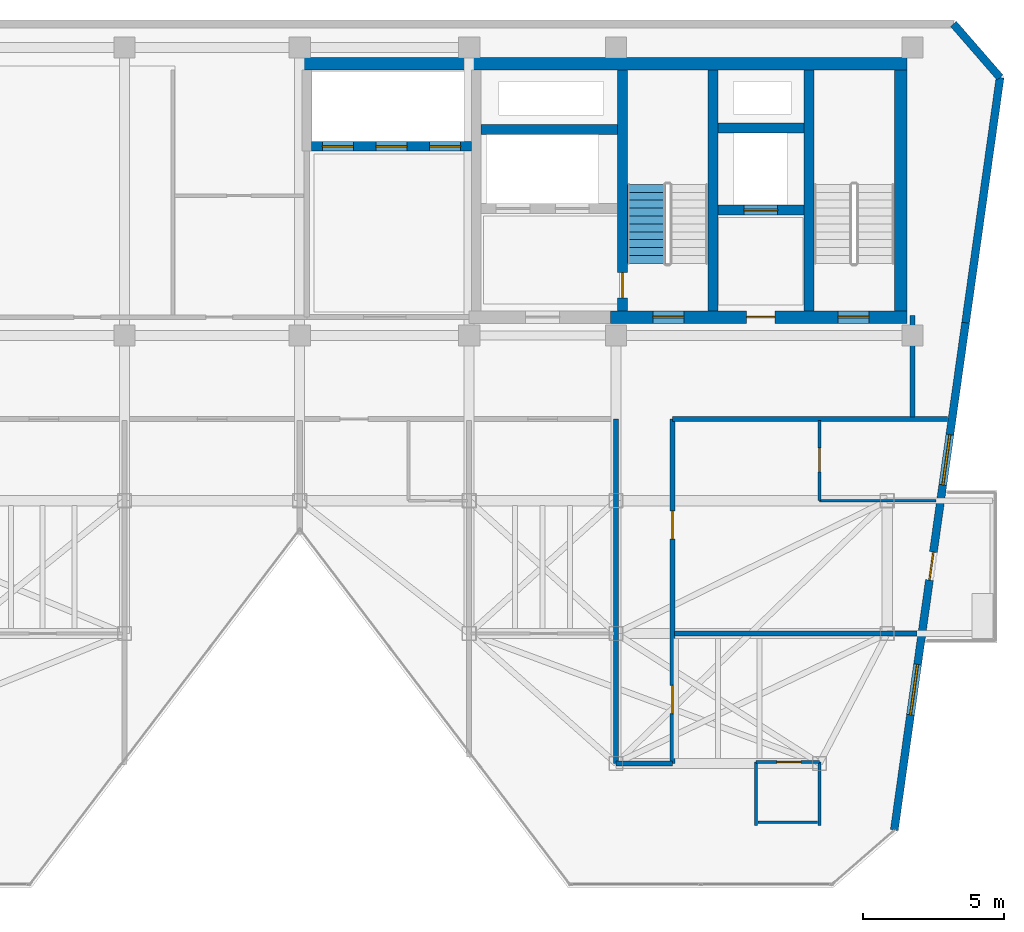
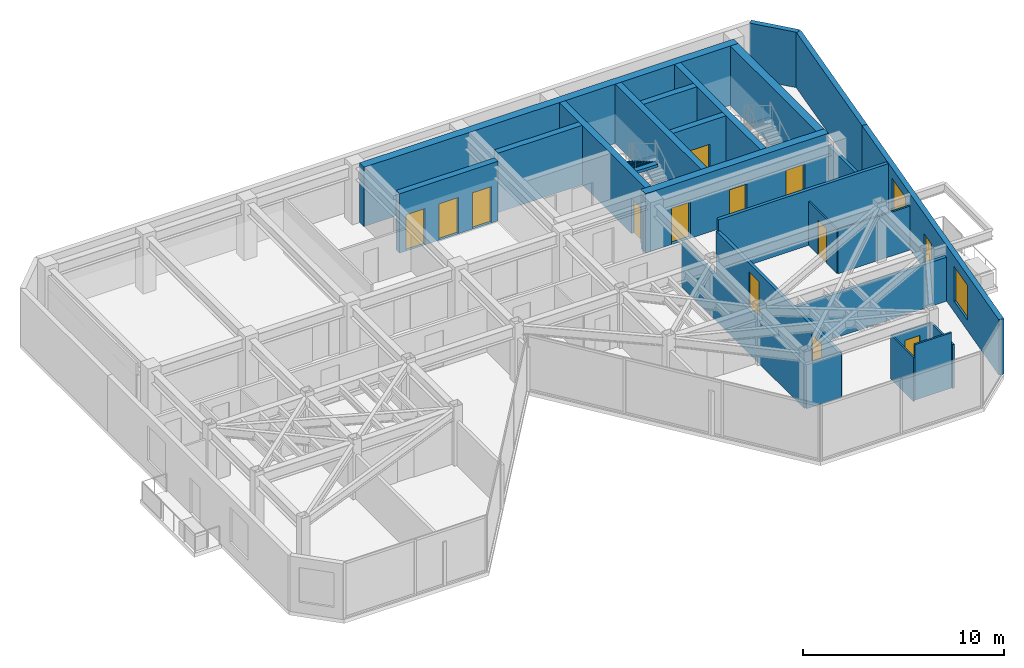
# One storey, part 14 of 17: 25 walls, 13 doors, 2 windows, 1 stair flight, 15 openings, 1 element without a shape of its own.
"""IFC4 building model written with IfcOpenShell, lengths in metres."""

from ifc_helpers import new_model, si_unit, direction, frame, frame_2d, origin, place, context, subcontext, project, spatial, polyline, rectangle, outline, extrude, material, layer, layer_set, type_object, element, fill, aggregate, save


model = new_model("IFC4")

# Units and contexts
model_context = context("Model", 3, precision=1e-05, world=origin(), true_north=direction((0.0, 1.0)))
body_context = subcontext(model_context, "Body", "Model", "MODEL_VIEW")
ifc_project = project(units=[si_unit("LENGTHUNIT", "METRE"), si_unit("AREAUNIT", "SQUARE_METRE"), si_unit("VOLUMEUNIT", "CUBIC_METRE"), si_unit("PLANEANGLEUNIT", "RADIAN"), si_unit("MASSUNIT", "GRAM", prefix="KILO")], contexts=[model_context])

# Site, building, storey
site_placement = place(None, origin())
site = spatial("IfcSite", under=ifc_project, at=site_placement, CompositionType="ELEMENT")
building_placement = place(site_placement, origin())
building = spatial("IfcBuilding", under=site, at=building_placement, Name="Kravanh Interchange Tower", CompositionType="ELEMENT")
storey_placement = place(building_placement, frame((0.0, 0.0, 256.199951171875)))
storey = spatial("IfcBuildingStorey", under=building, at=storey_placement, Name="L62", CompositionType="ELEMENT", Elevation=256.199951171875)

# Walls
ifc_material_1 = material(Name="Concrete C60/75", Category="concrete")
ifc_layer_1 = layer(ifc_material_1, 0.35009765625)
ifc_layer_set_1 = layer_set([ifc_layer_1], Name="Core Shear Wall Concrete C60/75 350mm")
wall_type_1 = type_object("IfcWallType", Name="Core Shear Wall Concrete C60/75 350mm", PredefinedType="SHEAR", material=ifc_layer_set_1)
for number, where, z_axis, x_axis, name in (
    (1, (62.824951171875, 38.22509765625, 0.0), (0.0, 0.0, 1.0), (0.0, 1.0, 0.0), "L62 Stair ST1 West Shear Wall"),
    (2, (59.425048828125, 38.22509765625, 0.0), (0.0, 0.0, 1.0), (0.0, 1.0, 0.0), "L62 Stair ST2 East Shear Wall"),
):
    element("IfcWall", number, at=place(storey_placement, frame(where, z_axis=z_axis, x_axis=x_axis)), inside=storey, type_object=wall_type_1, Name=name, PredefinedType="SHEAR", context=body_context, shape_type="SweptSolid", body=[
        extrude(rectangle(XDim=8.52490234375, YDim=0.35009765625, at=frame_2d((4.262451171875, 0.0))), origin(), (0.0, 0.0, 1.0), 3.60009765625),
    ])

# Wall, opening, door
wall_1_placement = place(storey_placement, frame((56.22509765625, 38.22509765625, 0.0), z_axis=(0.0, 0.0, 1.0), x_axis=(0.0, 1.0, 0.0)))
wall_1 = element("IfcWall", 3, at=wall_1_placement, inside=storey, type_object=wall_type_1, Name="L62 Stair ST2 West Shear Wall", PredefinedType="SHEAR", context=body_context, shape_type="SweptSolid", body=[
    extrude(rectangle(XDim=8.52490234375, YDim=0.35009765625, at=frame_2d((4.262451171875, 0.0))), origin(), (0.0, 0.0, 1.0), 3.60009765625),
])
opening_1_placement = place(wall_1_placement, frame((0.455078125, 0.0, 0.0)))
opening_1 = element("IfcOpeningElement", 4, at=opening_1_placement, cuts=wall_1, Name="Opening D-STAIR-90", PredefinedType="OPENING", context=body_context, shape_type="SweptSolid", body=[
    extrude(rectangle(XDim=0.89990234375, YDim=2.14990234375, at=frame_2d((0.449951171875, 1.074951171875))), frame((0.0, 0.18505859375, 0.0), z_axis=(0.0, -1.0, 0.0), x_axis=(1.0, 0.0, 0.0)), (0.0, 0.0, 1.0), 0.3701171875),
])
ifc_material_2 = material(Name="Structural Steel S355", Category="steel")
door_type_1 = type_object("IfcDoorType", Name="Fire-Rated Stair Lobby Door 900x2150", OperationType="NOTDEFINED", PredefinedType="DOOR", material=ifc_material_2)
door_1_placement = place(opening_1_placement, origin())
door_1 = element("IfcDoor", 5, at=door_1_placement, inside=storey, type_object=door_type_1, Name="L62 Firefighting Lobby to Stair ST2 Door", OperationType="SINGLE_SWING_LEFT", OverallHeight=2.14990234375, OverallWidth=0.89990234375, PredefinedType="DOOR", context=body_context, shape_type="SweptSolid", body=[
    extrude(rectangle(XDim=0.89990234375, YDim=2.14990234375, at=frame_2d((0.449951171875, 1.074951171875))), frame((0.0, 0.02490234375, 0.0), z_axis=(0.0, -1.0, 0.0), x_axis=(1.0, 0.0, 0.0)), (0.0, 0.0, 1.0), 0.050048828125),
])
fill(opening_1, door_1)

wall_2_placement = place(storey_placement, frame((59.60009765625, 41.800048828125, 0.0), z_axis=(0.0, 0.0, 1.0), x_axis=(1.0, 0.0, 0.0)))
wall_2 = element("IfcWall", 6, at=wall_2_placement, inside=storey, type_object=wall_type_1, Name="L62 Service Lift Shaft South Wall", PredefinedType="SHEAR", context=body_context, shape_type="SweptSolid", body=[
    extrude(rectangle(XDim=3.0498046875, YDim=0.35009765625, at=frame_2d((1.52490234375, 0.0))), origin(), (0.0, 0.0, 1.0), 3.60009765625),
])
opening_2_placement = place(wall_2_placement, frame((0.919921875, 0.0, 0.0)))
opening_2 = element("IfcOpeningElement", 7, at=opening_2_placement, cuts=wall_2, Name="Opening LD02", PredefinedType="OPENING", context=body_context, shape_type="SweptSolid", body=[
    extrude(rectangle(XDim=1.199951171875, YDim=2.199951171875, at=frame_2d((0.60009765625, 1.10009765625))), frame((0.0, 0.18505859375, 0.0), z_axis=(0.0, -1.0, 0.0), x_axis=(1.0, 0.0, 0.0)), (0.0, 0.0, 1.0), 0.3701171875),
])
ifc_material_3 = material(Name="Stainless Steel 316", Category="steel")
door_type_2 = type_object("IfcDoorType", Name="Fire and Service Lift Sliding Landing Door 1200x2200", OperationType="DOUBLE_DOOR_SLIDING", PredefinedType="DOOR", material=ifc_material_3)
door_2_placement = place(opening_2_placement, origin())
door_2 = element("IfcDoor", 8, at=door_2_placement, inside=storey, type_object=door_type_2, Name="L62 Lift LS-01 Landing Door", OperationType="DOUBLE_DOOR_SLIDING", OverallHeight=2.199951171875, OverallWidth=1.199951171875, PredefinedType="DOOR", context=body_context, shape_type="SweptSolid", body=[
    extrude(rectangle(XDim=1.199951171875, YDim=2.199951171875, at=frame_2d((0.60009765625, 1.10009765625))), frame((0.0, 0.02490234375, 0.0), z_axis=(0.0, -1.0, 0.0), x_axis=(1.0, 0.0, 0.0)), (0.0, 0.0, 1.0), 0.050048828125),
])
fill(opening_2, door_2)

# Walls
wall_3_placement = place(storey_placement, frame((59.60009765625, 44.699951171875, 0.0), z_axis=(0.0, 0.0, 1.0), x_axis=(1.0, 0.0, 0.0)))
element("IfcWall", 9, at=wall_3_placement, inside=storey, type_object=wall_type_1, Name="L62 Service Lift Shaft North Wall", PredefinedType="SHEAR", context=body_context, shape_type="SweptSolid", body=[
    extrude(rectangle(XDim=3.0498046875, YDim=0.35009765625, at=frame_2d((1.52490234375, 0.0))), origin(), (0.0, 0.0, 1.0), 3.60009765625),
])
wall_4_placement = place(storey_placement, frame((51.22509765625, 44.64990234375, 0.0), z_axis=(0.0, 0.0, 1.0), x_axis=(1.0, 0.0, 0.0)))
element("IfcWall", 10, at=wall_4_placement, inside=storey, type_object=wall_type_1, Name="L62 Fire Lift Shaft North Wall", PredefinedType="SHEAR", context=body_context, shape_type="SweptSolid", body=[
    extrude(rectangle(XDim=4.824951171875, YDim=0.35009765625, at=frame_2d((2.41259765625, 0.0))), origin(), (0.0, 0.0, 1.0), 3.60009765625),
])

# Wall, openings, doors
wall_5_placement = place(storey_placement, frame((45.22509765625, 44.050048828125, 0.0), z_axis=(0.0, 0.0, 1.0), x_axis=(1.0, 0.0, 0.0)))
wall_5 = element("IfcWall", 11, at=wall_5_placement, inside=storey, type_object=wall_type_1, Name="L62 High-Rise Lift Shaft South Wall", PredefinedType="SHEAR", context=body_context, shape_type="SweptSolid", body=[
    extrude(rectangle(XDim=5.64990234375, YDim=0.35009765625, at=frame_2d((2.824951171875, 0.0))), origin(), (0.0, 0.0, 1.0), 3.60009765625),
])
opening_3_placement = place(wall_5_placement, frame((0.375, 0.0, 0.0)))
opening_3 = element("IfcOpeningElement", 12, at=opening_3_placement, cuts=wall_5, Name="Opening LD01", PredefinedType="OPENING", context=body_context, shape_type="SweptSolid", body=[
    extrude(rectangle(XDim=1.10009765625, YDim=2.199951171875, at=frame_2d((0.550048828125, 1.10009765625))), frame((0.0, 0.18505859375, 0.0), z_axis=(0.0, -1.0, 0.0), x_axis=(1.0, 0.0, 0.0)), (0.0, 0.0, 1.0), 0.3701171875),
])
opening_4_placement = place(wall_5_placement, frame((2.27490234375, 0.0, 0.0)))
opening_4 = element("IfcOpeningElement", 13, at=opening_4_placement, cuts=wall_5, Name="Opening LD01", PredefinedType="OPENING", context=body_context, shape_type="SweptSolid", body=[
    extrude(rectangle(XDim=1.10009765625, YDim=2.199951171875, at=frame_2d((0.550048828125, 1.10009765625))), frame((0.0, 0.18505859375, 0.0), z_axis=(0.0, -1.0, 0.0), x_axis=(1.0, 0.0, 0.0)), (0.0, 0.0, 1.0), 0.3701171875),
])
opening_5_placement = place(wall_5_placement, frame((4.175048828125, 0.0, 0.0)))
opening_5 = element("IfcOpeningElement", 14, at=opening_5_placement, cuts=wall_5, Name="Opening LD01", PredefinedType="OPENING", context=body_context, shape_type="SweptSolid", body=[
    extrude(rectangle(XDim=1.10009765625, YDim=2.199951171875, at=frame_2d((0.550048828125, 1.10009765625))), frame((0.0, 0.18505859375, 0.0), z_axis=(0.0, -1.0, 0.0), x_axis=(1.0, 0.0, 0.0)), (0.0, 0.0, 1.0), 0.3701171875),
])
ifc_material_4 = material(Name="Stainless Steel 304", Category="steel")
door_type_3 = type_object("IfcDoorType", Name="Passenger Lift Sliding Landing Door 1100x2200", OperationType="DOUBLE_DOOR_SLIDING", PredefinedType="DOOR", material=ifc_material_4)
door_3_placement = place(opening_3_placement, origin())
door_3 = element("IfcDoor", 15, at=door_3_placement, inside=storey, type_object=door_type_3, Name="L62 Lift LP-H1 Landing Door", OperationType="DOUBLE_DOOR_SLIDING", OverallHeight=2.199951171875, OverallWidth=1.10009765625, PredefinedType="DOOR", context=body_context, shape_type="SweptSolid", body=[
    extrude(rectangle(XDim=1.10009765625, YDim=2.199951171875, at=frame_2d((0.550048828125, 1.10009765625))), frame((0.0, 0.02490234375, 0.0), z_axis=(0.0, -1.0, 0.0), x_axis=(1.0, 0.0, 0.0)), (0.0, 0.0, 1.0), 0.050048828125),
])
fill(opening_3, door_3)
door_4_placement = place(opening_4_placement, origin())
door_4 = element("IfcDoor", 16, at=door_4_placement, inside=storey, type_object=door_type_3, Name="L62 Lift LP-H2 Landing Door", OperationType="DOUBLE_DOOR_SLIDING", OverallHeight=2.199951171875, OverallWidth=1.10009765625, PredefinedType="DOOR", context=body_context, shape_type="SweptSolid", body=[
    extrude(rectangle(XDim=1.10009765625, YDim=2.199951171875, at=frame_2d((0.550048828125, 1.10009765625))), frame((0.0, 0.02490234375, 0.0), z_axis=(0.0, -1.0, 0.0), x_axis=(1.0, 0.0, 0.0)), (0.0, 0.0, 1.0), 0.050048828125),
])
fill(opening_4, door_4)
door_5_placement = place(opening_5_placement, origin())
door_5 = element("IfcDoor", 17, at=door_5_placement, inside=storey, type_object=door_type_3, Name="L62 Lift LP-H3 Landing Door", OperationType="DOUBLE_DOOR_SLIDING", OverallHeight=2.199951171875, OverallWidth=1.10009765625, PredefinedType="DOOR", context=body_context, shape_type="SweptSolid", body=[
    extrude(rectangle(XDim=1.10009765625, YDim=2.199951171875, at=frame_2d((0.550048828125, 1.10009765625))), frame((0.0, 0.02490234375, 0.0), z_axis=(0.0, -1.0, 0.0), x_axis=(1.0, 0.0, 0.0)), (0.0, 0.0, 1.0), 0.050048828125),
])
fill(opening_5, door_5)

# Wall
ifc_material_5 = material(Name="Concrete C60/75", Category="concrete")
ifc_layer_2 = layer(ifc_material_5, 0.449951171875)
ifc_layer_set_2 = layer_set([ifc_layer_2], Name="Core Shear Wall Concrete C60/75 450mm")
wall_type_2 = type_object("IfcWallType", Name="Core Shear Wall Concrete C60/75 450mm", PredefinedType="SHEAR", material=ifc_layer_set_2)
wall_6_placement = place(storey_placement, frame((44.85009765625, 46.97509765625, 0.0), z_axis=(0.0, 0.0, 1.0), x_axis=(1.0, 0.0, 0.0)))
element("IfcWall", 18, at=wall_6_placement, inside=storey, type_object=wall_type_2, Name="L62 North Core Shear Wall", PredefinedType="SHEAR", context=body_context, shape_type="SweptSolid", body=[
    extrude(rectangle(XDim=21.449951171875, YDim=0.449951171875, at=frame_2d((10.72509765625, 0.0))), origin(), (0.0, 0.0, 1.0), 3.60009765625),
])

# Wall, openings, doors
wall_7_placement = place(storey_placement, frame((55.800048828125, 38.0, 0.0), z_axis=(0.0, 0.0, 1.0), x_axis=(1.0, 0.0, 0.0)))
wall_7 = element("IfcWall", 19, at=wall_7_placement, inside=storey, type_object=wall_type_2, Name="L62 East Core South Shear Wall", PredefinedType="SHEAR", context=body_context, shape_type="SweptSolid", body=[
    extrude(rectangle(XDim=10.5, YDim=0.449951171875, at=frame_2d((5.25, 0.0))), origin(), (0.0, 0.0, 1.0), 3.60009765625),
])
opening_6_placement = place(wall_7_placement, frame((1.5, 0.0, 0.0)))
opening_6 = element("IfcOpeningElement", 20, at=opening_6_placement, cuts=wall_7, Name="Opening D-STAIR-110", PredefinedType="OPENING", context=body_context, shape_type="SweptSolid", body=[
    extrude(rectangle(XDim=1.10009765625, YDim=2.199951171875, at=frame_2d((0.550048828125, 1.10009765625))), frame((0.0, 0.23486328125, 0.0), z_axis=(0.0, -1.0, 0.0), x_axis=(1.0, 0.0, 0.0)), (0.0, 0.0, 1.0), 0.469970703125),
])
opening_7_placement = place(wall_7_placement, frame((4.820068359375, 0.0, 0.0)))
opening_7 = element("IfcOpeningElement", 21, at=opening_7_placement, cuts=wall_7, Name="Opening D-HOTEL-100", PredefinedType="OPENING", context=body_context, shape_type="SweptSolid", body=[
    extrude(rectangle(XDim=1.0, YDim=2.14990234375, at=frame_2d((0.5, 1.074951171875))), frame((0.0, 0.23486328125, 0.0), z_axis=(0.0, -1.0, 0.0), x_axis=(1.0, 0.0, 0.0)), (0.0, 0.0, 1.0), 0.469970703125),
])
opening_8_placement = place(wall_7_placement, frame((8.050048828125, 0.0, 0.0)))
opening_8 = element("IfcOpeningElement", 22, at=opening_8_placement, cuts=wall_7, Name="Opening D-STAIR-110", PredefinedType="OPENING", context=body_context, shape_type="SweptSolid", body=[
    extrude(rectangle(XDim=1.10009765625, YDim=2.199951171875, at=frame_2d((0.550048828125, 1.10009765625))), frame((0.0, 0.23486328125, 0.0), z_axis=(0.0, -1.0, 0.0), x_axis=(1.0, 0.0, 0.0)), (0.0, 0.0, 1.0), 0.469970703125),
])
ifc_material_6 = material(Name="Structural Steel S355", Category="steel")
door_type_4 = type_object("IfcDoorType", Name="Fire-Rated Exit Stair Door 1100x2200", OperationType="NOTDEFINED", PredefinedType="DOOR", material=ifc_material_6)
door_6_placement = place(opening_6_placement, origin())
door_6 = element("IfcDoor", 23, at=door_6_placement, inside=storey, type_object=door_type_4, Name="L62 Exit Stair ST2 Door", OperationType="SINGLE_SWING_RIGHT", OverallHeight=2.199951171875, OverallWidth=1.10009765625, PredefinedType="DOOR", context=body_context, shape_type="SweptSolid", body=[
    extrude(rectangle(XDim=1.10009765625, YDim=2.199951171875, at=frame_2d((0.550048828125, 1.10009765625))), frame((0.0, 0.02490234375, 0.0), z_axis=(0.0, -1.0, 0.0), x_axis=(1.0, 0.0, 0.0)), (0.0, 0.0, 1.0), 0.050048828125),
])
fill(opening_6, door_6)
door_7_placement = place(opening_8_placement, origin())
door_7 = element("IfcDoor", 24, at=door_7_placement, inside=storey, type_object=door_type_4, Name="L62 Exit Stair ST1 Door", OperationType="SINGLE_SWING_RIGHT", OverallHeight=2.199951171875, OverallWidth=1.10009765625, PredefinedType="DOOR", context=body_context, shape_type="SweptSolid", body=[
    extrude(rectangle(XDim=1.10009765625, YDim=2.199951171875, at=frame_2d((0.550048828125, 1.10009765625))), frame((0.0, 0.02490234375, 0.0), z_axis=(0.0, -1.0, 0.0), x_axis=(1.0, 0.0, 0.0)), (0.0, 0.0, 1.0), 0.050048828125),
])
fill(opening_8, door_7)
ifc_material_7 = material(Name="Fire-Rated Solid Timber Leaf", Category="wood")
door_type_5 = type_object("IfcDoorType", Name="Fire-Rated Suite Entrance Door 1000x2150", OperationType="NOTDEFINED", PredefinedType="DOOR", material=ifc_material_7)
door_8_placement = place(opening_7_placement, origin())
door_8 = element("IfcDoor", 25, at=door_8_placement, inside=storey, type_object=door_type_5, Name="L62 Service Lift Lobby Door", OperationType="SINGLE_SWING_RIGHT", OverallHeight=2.14990234375, OverallWidth=1.0, PredefinedType="DOOR", context=body_context, shape_type="SweptSolid", body=[
    extrude(rectangle(XDim=1.0, YDim=2.14990234375, at=frame_2d((0.5, 1.074951171875))), frame((0.0, 0.02490234375, 0.0), z_axis=(0.0, -1.0, 0.0), x_axis=(1.0, 0.0, 0.0)), (0.0, 0.0, 1.0), 0.050048828125),
])
fill(opening_7, door_8)

# Wall
wall_8_placement = place(storey_placement, frame((66.074951171875, 38.22509765625, 0.0), z_axis=(0.0, 0.0, 1.0), x_axis=(0.0, 1.0, 0.0)))
element("IfcWall", 26, at=wall_8_placement, inside=storey, type_object=wall_type_2, Name="L62 Stair ST1 East Shear Wall", PredefinedType="SHEAR", context=body_context, shape_type="SweptSolid", body=[
    extrude(rectangle(XDim=8.52490234375, YDim=0.449951171875, at=frame_2d((4.262451171875, 0.0))), origin(), (0.0, 0.0, 1.0), 3.60009765625),
])

# Wall, opening, door
ifc_material_8 = material(Name="Moisture-Resistant Gypsum Board and Mineral Wool")
ifc_layer_3 = layer(ifc_material_8, 0.10009765625)
ifc_layer_set_3 = layer_set([ifc_layer_3], Name="En-Suite Moisture-Resistant Partition 100mm")
wall_type_3 = type_object("IfcWallType", Name="En-Suite Moisture-Resistant Partition 100mm", PredefinedType="PARTITIONING", material=ifc_layer_set_3)
wall_9_placement = place(storey_placement, frame((60.949951171875, 22.25, 0.0), z_axis=(0.0, 0.0, 1.0), x_axis=(1.0, 0.0, 0.0)))
wall_9 = element("IfcWall", 27, at=wall_9_placement, inside=storey, type_object=wall_type_3, Name="L62 Interior Partition 16", PredefinedType="PARTITIONING", context=body_context, shape_type="SweptSolid", body=[
    extrude(rectangle(XDim=2.25, YDim=0.10009765625, at=frame_2d((1.125, 0.0))), origin(), (0.0, 0.0, 1.0), 2.6640625),
])
opening_9_placement = place(wall_9_placement, frame((0.741455078125, 0.0, 0.0)))
opening_9 = element("IfcOpeningElement", 28, at=opening_9_placement, cuts=wall_9, Name="Opening D-85", PredefinedType="OPENING", context=body_context, shape_type="SweptSolid", body=[
    extrude(rectangle(XDim=0.85009765625, YDim=2.10009765625, at=frame_2d((0.425048828125, 1.050048828125))), frame((0.0, 0.06005859375, 0.0), z_axis=(0.0, -1.0, 0.0), x_axis=(1.0, 0.0, 0.0)), (0.0, 0.0, 1.0), 0.1201171875),
])
ifc_material_9 = material(Name="Engineered Teak Veneer Timber", Category="wood")
door_type_6 = type_object("IfcDoorType", Name="En-Suite Timber Door 850x2100", OperationType="NOTDEFINED", PredefinedType="DOOR", material=ifc_material_9)
door_9_placement = place(opening_9_placement, origin())
door_9 = element("IfcDoor", 29, at=door_9_placement, inside=storey, type_object=door_type_6, Name="L62 En-suite Bathroom Door", OperationType="SINGLE_SWING_LEFT", OverallHeight=2.10009765625, OverallWidth=0.85009765625, PredefinedType="DOOR", context=body_context, shape_type="SweptSolid", body=[
    extrude(rectangle(XDim=0.85009765625, YDim=2.10009765625, at=frame_2d((0.425048828125, 1.050048828125))), frame((0.0, 0.02490234375, 0.0), z_axis=(0.0, -1.0, 0.0), x_axis=(1.0, 0.0, 0.0)), (0.0, 0.0, 1.0), 0.050048828125),
])
fill(opening_9, door_9)

# Walls
for number, where, z_axis, x_axis, name in (
    (30, (60.949951171875, 20.0, 0.0), (0.0, 0.0, 1.0), (0.0, 1.0, 0.0), "L62 Interior Partition 17"),
    (31, (63.199951171875, 20.0, 0.0), (0.0, 0.0, 1.0), (0.0, 1.0, 0.0), "L62 Interior Partition 18"),
):
    element("IfcWall", number, at=place(storey_placement, frame(where, z_axis=z_axis, x_axis=x_axis)), inside=storey, type_object=wall_type_3, Name=name, PredefinedType="PARTITIONING", context=body_context, shape_type="SweptSolid", body=[
        extrude(rectangle(XDim=2.25, YDim=0.10009765625, at=frame_2d((1.125, 0.0))), origin(), (0.0, 0.0, 1.0), 2.6640625),
    ])
wall_10_placement = place(storey_placement, frame((61.01806640625, 20.1201171875, 0.0), z_axis=(0.0, 0.0, 1.0), x_axis=(1.0, 0.0, 0.0)))
element("IfcWall", 32, at=wall_10_placement, inside=storey, type_object=wall_type_3, Name="L62 Interior Partition 19", PredefinedType="PARTITIONING", context=body_context, shape_type="SweptSolid", body=[
    extrude(rectangle(XDim=2.114013671875, YDim=0.10009765625, at=frame_2d((1.05712890625, 0.0))), origin(), (0.0, 0.0, 1.0), 3.360107421875),
])
wall_11_placement = place(storey_placement, frame((63.199951171875, 31.5, 0.0), z_axis=(0.0, 0.0, 1.0), x_axis=(1.0, 0.0, 0.0)))
element("IfcWall", 33, at=wall_11_placement, inside=storey, type_object=wall_type_3, Name="L62 Interior Partition 20", PredefinedType="PARTITIONING", context=body_context, shape_type="SweptSolid", body=[
    extrude(rectangle(XDim=4.123046875, YDim=0.10009765625, at=frame_2d((2.0615234375, 0.0))), origin(), (0.0, 0.0, 1.0), 2.6640625),
])

# Wall, opening, door
wall_12_placement = place(storey_placement, frame((63.199951171875, 31.5, 0.0), z_axis=(0.0, 0.0, 1.0), x_axis=(0.0, 1.0, 0.0)))
wall_12 = element("IfcWall", 34, at=wall_12_placement, inside=storey, type_object=wall_type_3, Name="L62 Interior Partition 21", PredefinedType="PARTITIONING", context=body_context, shape_type="SweptSolid", body=[
    extrude(rectangle(XDim=2.83203125, YDim=0.10009765625, at=frame_2d((1.416015625, 0.0))), origin(), (0.0, 0.0, 1.0), 2.6640625),
])
opening_10_placement = place(wall_12_placement, frame((1.02490234375, 0.0, 0.0)))
opening_10 = element("IfcOpeningElement", 35, at=opening_10_placement, cuts=wall_12, Name="Opening D-85", PredefinedType="OPENING", context=body_context, shape_type="SweptSolid", body=[
    extrude(rectangle(XDim=0.85009765625, YDim=2.10009765625, at=frame_2d((0.425048828125, 1.050048828125))), frame((0.0, 0.06005859375, 0.0), z_axis=(0.0, -1.0, 0.0), x_axis=(1.0, 0.0, 0.0)), (0.0, 0.0, 1.0), 0.1201171875),
])
door_10_placement = place(opening_10_placement, origin())
door_10 = element("IfcDoor", 36, at=door_10_placement, inside=storey, type_object=door_type_6, Name="L62 En-suite Bathroom Door", OperationType="SINGLE_SWING_LEFT", OverallHeight=2.10009765625, OverallWidth=0.85009765625, PredefinedType="DOOR", context=body_context, shape_type="SweptSolid", body=[
    extrude(rectangle(XDim=0.85009765625, YDim=2.10009765625, at=frame_2d((0.425048828125, 1.050048828125))), frame((0.0, 0.02490234375, 0.0), z_axis=(0.0, -1.0, 0.0), x_axis=(1.0, 0.0, 0.0)), (0.0, 0.0, 1.0), 0.050048828125),
])
fill(opening_10, door_10)

# Walls
ifc_material_10 = material(Name="Insulated Precast Concrete C40/50 with Bronze Cladding", Category="concrete")
ifc_layer_4 = layer(ifc_material_10, 0.280029296875)
ifc_layer_set_4 = layer_set([ifc_layer_4], Name="Exterior Insulated Concrete C40/50 Bronze Spandrel Wall 280mm")
wall_type_4 = type_object("IfcWallType", Name="Exterior Insulated Concrete C40/50 Bronze Spandrel Wall 280mm", PredefinedType="STANDARD", material=ifc_layer_set_4)
wall_13_placement = place(storey_placement, frame((67.9453125, 48.3798828125, 0.0), z_axis=(0.0, 0.0, 1.0), x_axis=(0.656068147197, -0.75470165379, 0.0)))
element("IfcWall", 37, at=wall_13_placement, inside=storey, type_object=wall_type_4, Name="L62 Exterior Wall 5", PredefinedType="STANDARD", context=body_context, shape_type="SweptSolid", body=[
    extrude(rectangle(XDim=2.514892578125, YDim=0.280029296875, at=frame_2d((1.25732421875, 0.0))), origin(), (0.0, 0.0, 1.0), 3.360107421875),
])
wall_14_placement = place(storey_placement, frame((69.59521484375, 46.48193359375, 0.0), z_axis=(0.0, 0.0, 1.0), x_axis=(-0.139179310088, -0.990267196086, 0.0)))
element("IfcWall", 38, at=wall_14_placement, inside=storey, type_object=wall_type_4, Name="L62 Exterior Wall 6", PredefinedType="STANDARD", context=body_context, shape_type="SweptSolid", body=[
    extrude(rectangle(XDim=8.767333984375, YDim=0.280029296875, at=frame_2d((4.3837890625, 0.0))), origin(), (0.0, 0.0, 1.0), 3.360107421875),
])

# Wall, openings, door, windows
wall_15_placement = place(storey_placement, frame((68.375, 37.800048828125, 0.0), z_axis=(0.0, 0.0, 1.0), x_axis=(-0.13917438523, -0.990267888248, 0.0)))
wall_15 = element("IfcWall", 39, at=wall_15_placement, inside=storey, type_object=wall_type_4, Name="L62 Exterior Wall 7", PredefinedType="STANDARD", context=body_context, shape_type="SweptSolid", body=[
    extrude(rectangle(XDim=18.135009765625, YDim=0.280029296875, at=frame_2d((9.0673828125, 0.0))), origin(), (0.0, 0.0, 1.0), 3.360107421875),
])
opening_11_placement = place(wall_15_placement, frame((8.197998046875, 0.0, 0.0)))
opening_11 = element("IfcOpeningElement", 40, at=opening_11_placement, cuts=wall_15, Name="Opening ED-BAL100", PredefinedType="OPENING", context=body_context, shape_type="SweptSolid", body=[
    extrude(rectangle(XDim=1.0, YDim=2.14990234375, at=frame_2d((0.5, 1.074951171875))), frame((0.0, 0.14990234375, 0.0), z_axis=(0.0, -1.0, 0.0), x_axis=(1.0, 0.0, 0.0)), (0.0, 0.0, 1.0), 0.300048828125),
])
opening_12_placement = place(wall_15_placement, frame((3.997314453125, 0.0, 0.64990234375)))
opening_12 = element("IfcOpeningElement", 41, at=opening_12_placement, cuts=wall_15, Name="Opening WN-180X210", PredefinedType="OPENING", context=body_context, shape_type="SweptSolid", body=[
    extrude(rectangle(XDim=1.800048828125, YDim=2.10009765625, at=frame_2d((0.89990234375, 1.050048828125))), frame((0.0, 0.14990234375, 0.0), z_axis=(0.0, -1.0, 0.0), x_axis=(1.0, 0.0, 0.0)), (0.0, 0.0, 1.0), 0.300048828125),
])
opening_13_placement = place(wall_15_placement, frame((12.216796875, 0.0, 0.64990234375)))
opening_13 = element("IfcOpeningElement", 42, at=opening_13_placement, cuts=wall_15, Name="Opening WN-180X210", PredefinedType="OPENING", context=body_context, shape_type="SweptSolid", body=[
    extrude(rectangle(XDim=1.800048828125, YDim=2.10009765625, at=frame_2d((0.89990234375, 1.050048828125))), frame((0.0, 0.14990234375, 0.0), z_axis=(0.0, -1.0, 0.0), x_axis=(1.0, 0.0, 0.0)), (0.0, 0.0, 1.0), 0.300048828125),
])
ifc_material_11 = material(Name="Thermally Broken Bronze Aluminium and Laminated Glass", Category="aluminium")
door_type_7 = type_object("IfcDoorType", Name="Balcony Glazed Door 1000x2150", OperationType="NOTDEFINED", PredefinedType="DOOR", material=ifc_material_11)
door_11_placement = place(opening_11_placement, origin())
door_11 = element("IfcDoor", 43, at=door_11_placement, inside=storey, type_object=door_type_7, Name="L62 E Tree Balcony Access Door", OperationType="SINGLE_SWING_LEFT", OverallHeight=2.14990234375, OverallWidth=1.0, PredefinedType="DOOR", context=body_context, shape_type="SweptSolid", body=[
    extrude(rectangle(XDim=1.0, YDim=2.14990234375, at=frame_2d((0.5, 1.074951171875))), frame((0.0, 0.02490234375, 0.0), z_axis=(0.0, -1.0, 0.0), x_axis=(1.0, 0.0, 0.0)), (0.0, 0.0, 1.0), 0.050048828125),
])
fill(opening_11, door_11)
ifc_material_12 = material(Name="Thermally Broken Bronze Aluminium and Low-E Glass", Category="aluminium")
window_type = type_object("IfcWindowType", Name="Tower Pier Window 1800x2100", PartitioningType="SINGLE_PANEL", PredefinedType="WINDOW", material=ifc_material_12)
window_1_placement = place(opening_12_placement, origin())
window_1 = element("IfcWindow", 44, at=window_1_placement, inside=storey, type_object=window_type, Name="L62 Facade Window 7A", OverallHeight=2.10009765625, OverallWidth=1.800048828125, PartitioningType="SINGLE_PANEL", PredefinedType="WINDOW", context=body_context, shape_type="SweptSolid", body=[
    extrude(rectangle(XDim=1.800048828125, YDim=2.10009765625, at=frame_2d((0.89990234375, 1.050048828125))), frame((0.0, 0.030029296875, 0.0), z_axis=(0.0, -1.0, 0.0), x_axis=(1.0, 0.0, 0.0)), (0.0, 0.0, 1.0), 0.06005859375),
])
fill(opening_12, window_1)
window_2_placement = place(opening_13_placement, origin())
window_2 = element("IfcWindow", 45, at=window_2_placement, inside=storey, type_object=window_type, Name="L62 Facade Window 7B", OverallHeight=2.10009765625, OverallWidth=1.800048828125, PartitioningType="SINGLE_PANEL", PredefinedType="WINDOW", context=body_context, shape_type="SweptSolid", body=[
    extrude(rectangle(XDim=1.800048828125, YDim=2.10009765625, at=frame_2d((0.89990234375, 1.050048828125))), frame((0.0, 0.030029296875, 0.0), z_axis=(0.0, -1.0, 0.0), x_axis=(1.0, 0.0, 0.0)), (0.0, 0.0, 1.0), 0.06005859375),
])
fill(opening_13, window_2)

# Walls
ifc_material_13 = material(Name="Autoclaved Aerated Concrete C30/37 Blockwork", Category="masonry")
ifc_layer_5 = layer(ifc_material_13, 0.179931640625)
ifc_layer_set_5 = layer_set([ifc_layer_5], Name="Fire-Rated Lobby and Corridor Wall Concrete C30/37 180mm")
wall_type_5 = type_object("IfcWallType", Name="Fire-Rated Lobby and Corridor Wall Concrete C30/37 180mm", PredefinedType="STANDARD", material=ifc_layer_set_5)
wall_16_placement = place(storey_placement, frame((58.0, 34.39990234375, 0.0), z_axis=(0.0, 0.0, 1.0), x_axis=(1.0, 0.0, 0.0)))
element("IfcWall", 46, at=wall_16_placement, inside=storey, type_object=wall_type_5, Name="L62 Interior Partition 8", PredefinedType="STANDARD", context=body_context, shape_type="SweptSolid", body=[
    extrude(rectangle(XDim=9.73046875, YDim=0.179931640625, at=frame_2d((4.865234375, 0.0))), origin(), (0.0, 0.0, 1.0), 3.360107421875),
])
wall_17_placement = place(storey_placement, frame((66.5, 34.468017578125, 0.0), z_axis=(0.0, 0.0, 1.0), x_axis=(0.0, 1.0, 0.0)))
element("IfcWall", 47, at=wall_17_placement, inside=storey, type_object=wall_type_5, Name="L62 Interior Partition 9", PredefinedType="STANDARD", context=body_context, shape_type="SweptSolid", body=[
    extrude(rectangle(XDim=3.58203125, YDim=0.179931640625, at=frame_2d((1.791015625, 0.0))), origin(), (0.0, 0.0, 1.0), 2.6640625),
])
wall_18_placement = place(storey_placement, frame((56.0, 22.199951171875, 0.0), z_axis=(0.0, 0.0, 1.0), x_axis=(0.0, 1.0, 0.0)))
element("IfcWall", 48, at=wall_18_placement, inside=storey, type_object=wall_type_5, Name="L62 Interior Partition 10", PredefinedType="STANDARD", context=body_context, shape_type="SweptSolid", body=[
    extrude(rectangle(XDim=12.199951171875, YDim=0.179931640625, at=frame_2d((6.10009765625, 0.0))), origin(), (0.0, 0.0, 1.0), 2.6640625),
])

# Wall, openings, doors
wall_19_placement = place(storey_placement, frame((58.0, 22.199951171875, 0.0), z_axis=(0.0, 0.0, 1.0), x_axis=(0.0, 1.0, 0.0)))
wall_19 = element("IfcWall", 49, at=wall_19_placement, inside=storey, type_object=wall_type_5, Name="L62 Interior Partition 11", PredefinedType="STANDARD", context=body_context, shape_type="SweptSolid", body=[
    extrude(rectangle(XDim=12.199951171875, YDim=0.179931640625, at=frame_2d((6.10009765625, 0.0))), origin(), (0.0, 0.0, 1.0), 2.6640625),
])
opening_14_placement = place(wall_19_placement, frame((1.759521484375, 0.0, 0.0)))
opening_14 = element("IfcOpeningElement", 50, at=opening_14_placement, cuts=wall_19, Name="Opening D-HOTEL-100", PredefinedType="OPENING", context=body_context, shape_type="SweptSolid", body=[
    extrude(rectangle(XDim=1.0, YDim=2.14990234375, at=frame_2d((0.5, 1.074951171875))), frame((0.0, 0.10009765625, 0.0), z_axis=(0.0, -1.0, 0.0), x_axis=(1.0, 0.0, 0.0)), (0.0, 0.0, 1.0), 0.199951171875),
])
opening_15_placement = place(wall_19_placement, frame((7.93994140625, 0.0, 0.0)))
opening_15 = element("IfcOpeningElement", 51, at=opening_15_placement, cuts=wall_19, Name="Opening D-HOTEL-100", PredefinedType="OPENING", context=body_context, shape_type="SweptSolid", body=[
    extrude(rectangle(XDim=1.0, YDim=2.14990234375, at=frame_2d((0.5, 1.074951171875))), frame((0.0, 0.10009765625, 0.0), z_axis=(0.0, -1.0, 0.0), x_axis=(1.0, 0.0, 0.0)), (0.0, 0.0, 1.0), 0.199951171875),
])
door_12_placement = place(opening_14_placement, origin())
door_12 = element("IfcDoor", 52, at=door_12_placement, inside=storey, type_object=door_type_5, Name="L62 Corner Panorama Hotel Suite Entrance Door", OperationType="SINGLE_SWING_RIGHT", OverallHeight=2.14990234375, OverallWidth=1.0, PredefinedType="DOOR", context=body_context, shape_type="SweptSolid", body=[
    extrude(rectangle(XDim=1.0, YDim=2.14990234375, at=frame_2d((0.5, 1.074951171875))), frame((0.0, 0.02490234375, 0.0), z_axis=(0.0, -1.0, 0.0), x_axis=(1.0, 0.0, 0.0)), (0.0, 0.0, 1.0), 0.050048828125),
])
fill(opening_14, door_12)
door_13_placement = place(opening_15_placement, origin())
door_13 = element("IfcDoor", 53, at=door_13_placement, inside=storey, type_object=door_type_5, Name="L62 Hotel Guest Room East Entrance Door", OperationType="SINGLE_SWING_RIGHT", OverallHeight=2.14990234375, OverallWidth=1.0, PredefinedType="DOOR", context=body_context, shape_type="SweptSolid", body=[
    extrude(rectangle(XDim=1.0, YDim=2.14990234375, at=frame_2d((0.5, 1.074951171875))), frame((0.0, 0.02490234375, 0.0), z_axis=(0.0, -1.0, 0.0), x_axis=(1.0, 0.0, 0.0)), (0.0, 0.0, 1.0), 0.050048828125),
])
fill(opening_15, door_13)

# Walls
wall_20_placement = place(storey_placement, frame((56.0, 22.199951171875, 0.0), z_axis=(0.0, 0.0, 1.0), x_axis=(1.0, 0.0, 0.0)))
element("IfcWall", 54, at=wall_20_placement, inside=storey, type_object=wall_type_5, Name="L62 Interior Partition 12", PredefinedType="STANDARD", context=body_context, shape_type="SweptSolid", body=[
    extrude(rectangle(XDim=2.0, YDim=0.179931640625, at=frame_2d((1.0, 0.0))), origin(), (0.0, 0.0, 1.0), 2.6640625),
])
wall_21_placement = place(storey_placement, frame((58.068115234375, 26.800048828125, 0.0), z_axis=(0.0, 0.0, 1.0), x_axis=(1.0, 0.0, 0.0)))
element("IfcWall", 55, at=wall_21_placement, inside=storey, type_object=wall_type_5, Name="L62 Interior Partition 15", PredefinedType="STANDARD", context=body_context, shape_type="SweptSolid", body=[
    extrude(rectangle(XDim=8.59423828125, YDim=0.179931640625, at=frame_2d((4.297119140625, 0.0))), origin(), (0.0, 0.0, 1.0), 2.6640625),
])

# Stair, stair flight
ifc_material_14 = material(Name="Concrete C50/60", Category="concrete")
stair_type = type_object("IfcStairType", Name="Core Fire Exit Dogleg Stair Concrete C50/60", PredefinedType="HALF_TURN_STAIR", material=ifc_material_14)
stair_placement = place(storey_placement, origin())
stair = element("IfcStair", 56, at=stair_placement, inside=storey, type_object=stair_type, Name="L62 Exit Stair ST2", PredefinedType="HALF_TURN_STAIR")
ifc_material_15 = material(Name="Precast Concrete C50/60", Category="concrete")
ifc_layer_6 = layer(ifc_material_15, 0.199951171875)
ifc_layer_set_6 = layer_set([ifc_layer_6], Name="Precast Concrete C50/60 Stair Flight 1350mm")
stair_flight_type = type_object("IfcStairFlightType", Name="Precast Concrete C50/60 Stair Flight 1350mm", PredefinedType="STRAIGHT", material=ifc_layer_set_6)
stair_flight_placement = place(storey_placement, frame((57.074951171875, 42.699951171875, 1.800048828125), z_axis=(0.0, 0.0, 1.0), x_axis=(0.0, -1.0, 0.0)))
stair_flight = element("IfcStairFlight", 57, at=stair_flight_placement, type_object=stair_flight_type, Name="ST2 flight 2", NumberOfRisers=11, NumberOfTreads=10, PredefinedType="STRAIGHT", RiserHeight=0.163636364, TreadLength=0.28, context=body_context, shape_type="SweptSolid", body=[
    extrude(outline(polyline([(0.0, 0.0), (0.0, 0.16357421875), (0.280029296875, 0.16357421875), (0.280029296875, 0.327392578125), (0.56005859375, 0.327392578125), (0.56005859375, 0.490966796875), (0.840087890625, 0.490966796875), (0.840087890625, 0.654541015625), (1.1201171875, 0.654541015625), (1.1201171875, 0.818115234375), (1.39990234375, 0.818115234375), (1.39990234375, 0.98193359375), (1.679931640625, 0.98193359375), (1.679931640625, 1.1455078125), (1.9599609375, 1.1455078125), (1.9599609375, 1.30908203125), (2.239990234375, 1.30908203125), (2.239990234375, 1.47265625), (2.52001953125, 1.47265625), (2.52001953125, 1.636474609375), (2.800048828125, 1.636474609375), (2.800048828125, 1.800048828125), (2.800048828125, 1.462646484375), (0.297119140625, 0.0), (0.0, 0.0)])), frame((0.0, 0.675048828125, 0.0), z_axis=(0.0, -1.0, 0.0), x_axis=(1.0, 0.0, 0.0)), (0.0, 0.0, 1.0), 1.35009765625),
])
aggregate(stair, [stair_flight])

save(model, "model.ifc")
